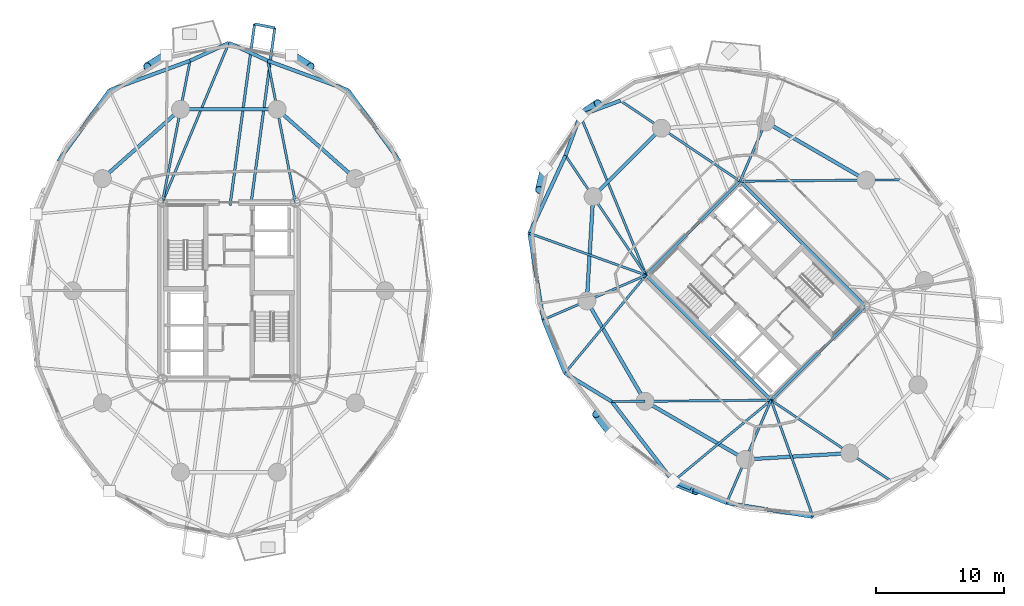
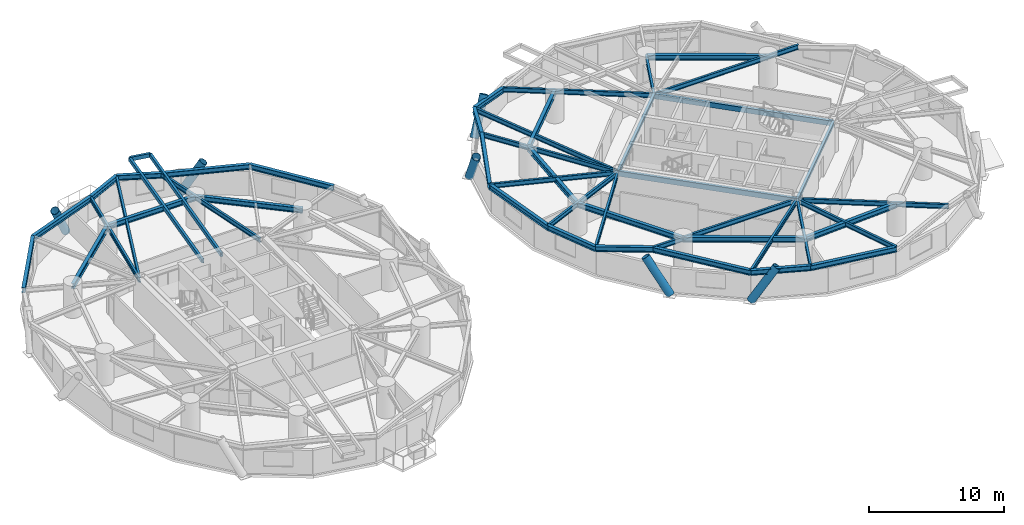
# One storey, part 5 of 18: 48 beams, 6 members.
"""IFC4 building model written with IfcOpenShell, lengths in metres."""

from ifc_helpers import new_model, si_unit, direction, frame, origin, origin_2d, place, context, subcontext, project, spatial, hollow_rectangle, hollow_circle, i_section, extrude, material, material_profile, profile_set, type_object, element, save


model = new_model("IFC4")

# Units and contexts
model_context = context("Model", 3, precision=1e-05, world=origin(), true_north=direction((0.0, 1.0)))
body_context = subcontext(model_context, "Body", "Model", "MODEL_VIEW")
ifc_project = project(units=[si_unit("LENGTHUNIT", "METRE"), si_unit("AREAUNIT", "SQUARE_METRE"), si_unit("VOLUMEUNIT", "CUBIC_METRE"), si_unit("PLANEANGLEUNIT", "RADIAN"), si_unit("MASSUNIT", "GRAM", prefix="KILO")], contexts=[model_context])

# Site, building, storey
site_placement = place(None, origin())
site = spatial("IfcSite", under=ifc_project, at=site_placement, CompositionType="ELEMENT")
building_placement = place(site_placement, origin())
building = spatial("IfcBuilding", under=site, at=building_placement, Name="Cununo Teusaquillo Station Towers", CompositionType="ELEMENT")
storey_placement = place(building_placement, frame((0.0, 0.0, 75.969970703125)))
storey = spatial("IfcBuildingStorey", under=building, at=storey_placement, Name="L23", CompositionType="ELEMENT", Elevation=75.969970703125)

# Beams
ifc_material_1 = material(Name="Steel EN 10025-2 S355J2", Category="steel")
ifc_material_profile_1 = material_profile(ifc_material_1, hollow_rectangle(XDim=0.199951171875, YDim=0.35009765625, WallThickness=0.013916015625, at=origin_2d()), Name="RHS 350x200x14")
ifc_profile_set_1 = profile_set([ifc_material_profile_1], Name="Steel EN 10025-2 S355J2")
beam_type_1 = type_object("IfcBeamType", Name="BM-BAL-CANT", PredefinedType="BEAM", material=ifc_profile_set_1)
beam_1_placement = place(storey_placement, frame((18.206298828125, 31.14990234375, 2.4951171875), z_axis=(0.133960678738, 0.990986648019, 0.0), x_axis=(-0.990986648019, 0.133960678738, 0.0)))
element("IfcBeam", 1, at=beam_1_placement, inside=storey, type_object=beam_type_1, Name="L23 Tower A Balcony Cantilever Bracket 1A", PredefinedType="BEAM", context=body_context, shape_type="SweptSolid", body=[
    extrude(hollow_rectangle(XDim=0.199951171875, YDim=0.35009765625, WallThickness=0.013916015625, at=origin_2d()), origin(), (0.0, 0.0, 1.0), 13.9345703125),
])
beam_2_placement = place(storey_placement, frame((16.59130859375, 31.14990234375, 2.4951171875), z_axis=(0.133936551357, 0.990989909237, 0.0), x_axis=(-0.990989909237, 0.133936551357, 0.0)))
element("IfcBeam", 2, at=beam_2_placement, inside=storey, type_object=beam_type_1, Name="L23 Tower A Balcony Cantilever Bracket 1B", PredefinedType="BEAM", context=body_context, shape_type="SweptSolid", body=[
    extrude(hollow_rectangle(XDim=0.199951171875, YDim=0.35009765625, WallThickness=0.013916015625, at=origin_2d()), origin(), (0.0, 0.0, 1.0), 14.24169921875),
])
ifc_material_2 = material(Name="Steel EN 10025-2 S355J2", Category="steel")
ifc_material_profile_2 = material_profile(ifc_material_2, hollow_rectangle(XDim=0.25, YDim=0.449951171875, WallThickness=0.01611328125, at=origin_2d()), Name="RHS 450x250x16")
ifc_profile_set_2 = profile_set([ifc_material_profile_2], Name="Steel EN 10025-2 S355J2")
beam_type_2 = type_object("IfcBeamType", Name="BM-COUP-1", PredefinedType="USERDEFINED", material=ifc_profile_set_2)
for number, where, z_axis, x_axis, name in (
    (3, (58.70556640625, 15.975830078125, 2.445068359375), (-0.707106781187, 0.707106781187, 0.0), (-0.707106781187, -0.707106781187, 0.0), "L23 Tower B Core Beam 1"),
    (4, (66.024169921875, 23.29443359375, 2.445068359375), (-0.707106781187, 0.707106781187, 0.0), (-0.707106781187, -0.707106781187, 0.0), "L23 Tower B Core Beam 2"),
):
    element("IfcBeam", number, at=place(storey_placement, frame(where, z_axis=z_axis, x_axis=x_axis)), inside=storey, type_object=beam_type_2, Name=name, ObjectType="COUPLING BEAM", PredefinedType="USERDEFINED", context=body_context, shape_type="SweptSolid", body=[
        extrude(hollow_rectangle(XDim=0.25, YDim=0.449951171875, WallThickness=0.01611328125, at=origin_2d()), origin(), (0.0, 0.0, 1.0), 13.760009765625),
    ])
ifc_material_3 = material(Name="Steel ASTM A572 Grade 50", Category="steel")
ifc_material_profile_3 = material_profile(ifc_material_3, i_section(OverallWidth=0.180908203125, OverallDepth=0.4169921875, WebThickness=0.010986328125, FlangeThickness=0.018310546875, FilletRadius=0.012939453125, at=origin_2d()), Name="W16X57")
ifc_profile_set_3 = profile_set([ifc_material_profile_3], Name="Steel ASTM A572 Grade 50")
beam_type_3 = type_object("IfcBeamType", Name="BM-JOIST-1", PredefinedType="JOIST", material=ifc_profile_set_3)
beam_3_placement = place(storey_placement, frame((11.324951171875, 31.3798828125, 2.46142578125), z_axis=(0.38487837995, 0.922967297713, 0.0), x_axis=(-0.922967297713, 0.38487837995, 0.0)))
element("IfcBeam", 5, at=beam_3_placement, inside=storey, type_object=beam_type_3, Name="L23 Tower A Radial Spandrel Joist V05", PredefinedType="JOIST", context=body_context, shape_type="SweptSolid", body=[
    extrude(i_section(OverallWidth=0.180908203125, OverallDepth=0.4169921875, WebThickness=0.010986328125, FlangeThickness=0.018310546875, FilletRadius=0.012939453125, at=origin_2d()), origin(), (0.0, 0.0, 1.0), 13.446044921875),
])
beam_4_placement = place(storey_placement, frame((48.975830078125, 25.70556640625, 2.46142578125), z_axis=(-0.380485864505, 0.924786735908, 0.0), x_axis=(-0.924786735908, -0.380485864505, 0.0)))
element("IfcBeam", 6, at=beam_4_placement, inside=storey, type_object=beam_type_3, Name="L23 Tower B Radial Spandrel Joist V05", PredefinedType="JOIST", context=body_context, shape_type="SweptSolid", body=[
    extrude(i_section(OverallWidth=0.180908203125, OverallDepth=0.4169921875, WebThickness=0.010986328125, FlangeThickness=0.018310546875, FilletRadius=0.012939453125, at=origin_2d()), origin(), (0.0, 0.0, 1.0), 13.44580078125),
])
beam_5_placement = place(storey_placement, frame((48.975830078125, 25.70556640625, 2.46142578125), z_axis=(-0.941082771055, 0.338176312038, 0.0), x_axis=(-0.338176312038, -0.941082771055, 0.0)))
element("IfcBeam", 7, at=beam_5_placement, inside=storey, type_object=beam_type_3, Name="L23 Tower B Radial Spandrel Joist V07", PredefinedType="JOIST", context=body_context, shape_type="SweptSolid", body=[
    extrude(i_section(OverallWidth=0.180908203125, OverallDepth=0.4169921875, WebThickness=0.010986328125, FlangeThickness=0.018310546875, FilletRadius=0.012939453125, at=origin_2d()), origin(), (0.0, 0.0, 1.0), 9.646484375),
])
for number, where, z_axis, x_axis, name in (
    (8, (48.975830078125, 25.70556640625, 2.46142578125), (-0.638372238196, -0.769727799615, 0.0), (0.769727799615, -0.638372238196, 0.0), "L23 Tower B Radial Spandrel Joist V09"),
    (9, (58.70556640625, 15.975830078125, 2.46142578125), (-0.769727799615, -0.638372238196, 0.0), (0.638372238196, -0.769727799615, 0.0), "L23 Tower B Radial Spandrel Joist V11"),
):
    element("IfcBeam", number, at=place(storey_placement, frame(where, z_axis=z_axis, x_axis=x_axis)), inside=storey, type_object=beam_type_3, Name=name, PredefinedType="JOIST", context=body_context, shape_type="SweptSolid", body=[
        extrude(i_section(OverallWidth=0.180908203125, OverallDepth=0.4169921875, WebThickness=0.010986328125, FlangeThickness=0.018310546875, FilletRadius=0.012939453125, at=origin_2d()), origin(), (0.0, 0.0, 1.0), 9.895263671875),
    ])
beam_6_placement = place(storey_placement, frame((58.70556640625, 15.975830078125, 2.46142578125), z_axis=(0.338176312038, -0.941082771055, 0.0), x_axis=(0.941082771055, 0.338176312038, 0.0)))
element("IfcBeam", 10, at=beam_6_placement, inside=storey, type_object=beam_type_3, Name="L23 Tower B Radial Spandrel Joist V13", PredefinedType="JOIST", context=body_context, shape_type="SweptSolid", body=[
    extrude(i_section(OverallWidth=0.180908203125, OverallDepth=0.4169921875, WebThickness=0.010986328125, FlangeThickness=0.018310546875, FilletRadius=0.012939453125, at=origin_2d()), origin(), (0.0, 0.0, 1.0), 9.646484375),
])
ifc_material_4 = material(Name="Steel ASTM A572 Grade 50", Category="steel")
ifc_material_profile_4 = material_profile(ifc_material_4, i_section(OverallWidth=0.2041015625, OverallDepth=0.35009765625, WebThickness=0.008544921875, FlangeThickness=0.01513671875, FilletRadius=0.011962890625, at=origin_2d()), Name="W14X48")
ifc_profile_set_4 = profile_set([ifc_material_profile_4], Name="Steel ASTM A572 Grade 50")
beam_type_4 = type_object("IfcBeamType", Name="BM-LINTEL-1", PredefinedType="LINTEL", material=ifc_profile_set_4)
for number, where, z_axis, x_axis, name in (
    (11, (58.70556640625, 15.975830078125, 2.4951171875), (0.707106781187, 0.707106781187, 0.0), (-0.707106781187, 0.707106781187, 0.0), "L23 Tower B Core Beam 3"),
    (12, (48.975830078125, 25.70556640625, 2.4951171875), (0.707106781187, 0.707106781187, 0.0), (-0.707106781187, 0.707106781187, 0.0), "L23 Tower B Core Beam 4"),
):
    element("IfcBeam", number, at=place(storey_placement, frame(where, z_axis=z_axis, x_axis=x_axis)), inside=storey, type_object=beam_type_4, Name=name, PredefinedType="LINTEL", context=body_context, shape_type="SweptSolid", body=[
        extrude(i_section(OverallWidth=0.2041015625, OverallDepth=0.35009765625, WebThickness=0.008544921875, FlangeThickness=0.01513671875, FilletRadius=0.011962890625, at=origin_2d()), origin(), (0.0, 0.0, 1.0), 10.35009765625),
    ])
ifc_material_5 = material(Name="Steel ASTM A572 Grade 50", Category="steel")
ifc_material_profile_5 = material_profile(ifc_material_5, i_section(OverallWidth=0.180908203125, OverallDepth=0.4169921875, WebThickness=0.010986328125, FlangeThickness=0.018310546875, FilletRadius=0.012939453125, at=origin_2d()), Name="W16X57")
ifc_profile_set_5 = profile_set([ifc_material_profile_5], Name="Steel ASTM A572 Grade 50")
beam_type_5 = type_object("IfcBeamType", Name="BM-RAD-G2", PredefinedType="BEAM", material=ifc_profile_set_5)
for number, where, z_axis, x_axis, name in (
    (13, (21.675048828125, 31.3798828125, 2.46142578125), (-0.191552755713, 0.981482318628, 0.0), (-0.981482318628, -0.191552755713, 0.0), "L23 Tower A Continuous Overhanging Radial Girder 03"),
    (14, (11.324951171875, 31.3798828125, 2.46142578125), (0.191552755713, 0.981482318628, 0.0), (-0.981482318628, 0.191552755713, 0.0), "L23 Tower A Continuous Overhanging Radial Girder 04"),
):
    element("IfcBeam", number, at=place(storey_placement, frame(where, z_axis=z_axis, x_axis=x_axis)), inside=storey, type_object=beam_type_5, Name=name, PredefinedType="BEAM", context=body_context, shape_type="SweptSolid", body=[
        extrude(i_section(OverallWidth=0.180908203125, OverallDepth=0.4169921875, WebThickness=0.010986328125, FlangeThickness=0.018310546875, FilletRadius=0.012939453125, at=origin_2d()), origin(), (0.0, 0.0, 1.0), 11.22998046875),
    ])
beam_7_placement = place(storey_placement, frame((56.29443359375, 33.024169921875, 2.46142578125), z_axis=(0.999964331255, 0.008446077024, 0.0), x_axis=(-0.008446077024, 0.999964331255, 0.0)))
element("IfcBeam", 15, at=beam_7_placement, inside=storey, type_object=beam_type_5, Name="L23 Tower B Continuous Overhanging Radial Girder 01", PredefinedType="BEAM", context=body_context, shape_type="SweptSolid", body=[
    extrude(i_section(OverallWidth=0.180908203125, OverallDepth=0.4169921875, WebThickness=0.010986328125, FlangeThickness=0.018310546875, FilletRadius=0.012939453125, at=origin_2d()), origin(), (0.0, 0.0, 1.0), 12.400634765625),
])
beam_8_placement = place(storey_placement, frame((56.29443359375, 33.024169921875, 2.46142578125), z_axis=(0.397346986387, 0.917668443616, 0.0), x_axis=(-0.917668443616, 0.397346986387, 0.0)))
element("IfcBeam", 16, at=beam_8_placement, inside=storey, type_object=beam_type_5, Name="L23 Tower B Radial Girder 02A", PredefinedType="BEAM", context=body_context, shape_type="SweptSolid", body=[
    extrude(i_section(OverallWidth=0.180908203125, OverallDepth=0.4169921875, WebThickness=0.010986328125, FlangeThickness=0.018310546875, FilletRadius=0.012939453125, at=origin_2d()), origin(), (0.0, 0.0, 1.0), 5.02490234375),
])
for number, where, z_axis, x_axis, name in (
    (17, (56.29443359375, 33.024169921875, 2.46142578125), (-0.82945583878, 0.558572297481, 0.0), (-0.558572297481, -0.82945583878, 0.0), "L23 Tower B Continuous Overhanging Radial Girder 03"),
    (18, (48.975830078125, 25.70556640625, 2.46142578125), (-0.558572297481, 0.82945583878, 0.0), (-0.82945583878, -0.558572297481, 0.0), "L23 Tower B Continuous Overhanging Radial Girder 04"),
):
    element("IfcBeam", number, at=place(storey_placement, frame(where, z_axis=z_axis, x_axis=x_axis)), inside=storey, type_object=beam_type_5, Name=name, PredefinedType="BEAM", context=body_context, shape_type="SweptSolid", body=[
        extrude(i_section(OverallWidth=0.180908203125, OverallDepth=0.4169921875, WebThickness=0.010986328125, FlangeThickness=0.018310546875, FilletRadius=0.012939453125, at=origin_2d()), origin(), (0.0, 0.0, 1.0), 11.22998046875),
    ])
beam_9_placement = place(storey_placement, frame((48.975830078125, 25.70556640625, 2.46142578125), z_axis=(-0.917654733344, -0.397378648609, 0.0), x_axis=(0.397378648609, -0.917654733344, 0.0)))
element("IfcBeam", 19, at=beam_9_placement, inside=storey, type_object=beam_type_5, Name="L23 Tower B Continuous Overhanging Radial Girder 05", PredefinedType="BEAM", context=body_context, shape_type="SweptSolid", body=[
    extrude(i_section(OverallWidth=0.180908203125, OverallDepth=0.4169921875, WebThickness=0.010986328125, FlangeThickness=0.018310546875, FilletRadius=0.012939453125, at=origin_2d()), origin(), (0.0, 0.0, 1.0), 8.71484375),
])
beam_10_placement = place(storey_placement, frame((58.70556640625, 15.975830078125, 2.46142578125), z_axis=(-0.999964431382, -0.008434214327, 0.0), x_axis=(0.008434214327, -0.999964431382, 0.0)))
element("IfcBeam", 20, at=beam_10_placement, inside=storey, type_object=beam_type_5, Name="L23 Tower B Radial Girder 06A", PredefinedType="BEAM", context=body_context, shape_type="SweptSolid", body=[
    extrude(i_section(OverallWidth=0.180908203125, OverallDepth=0.4169921875, WebThickness=0.010986328125, FlangeThickness=0.018310546875, FilletRadius=0.012939453125, at=origin_2d()), origin(), (0.0, 0.0, 1.0), 9.812744140625),
])
beam_11_placement = place(storey_placement, frame((48.89306640625, 15.89306640625, 2.46142578125), z_axis=(-0.999963950292, -0.008491060999, 0.0), x_axis=(0.008491060999, -0.999963950292, 0.0)))
element("IfcBeam", 21, at=beam_11_placement, inside=storey, type_object=beam_type_5, Name="L23 Tower B Perimeter Overhang Girder 06B", PredefinedType="BEAM", context=body_context, shape_type="SweptSolid", body=[
    extrude(i_section(OverallWidth=0.180908203125, OverallDepth=0.4169921875, WebThickness=0.010986328125, FlangeThickness=0.018310546875, FilletRadius=0.012939453125, at=origin_2d()), origin(), (0.0, 0.0, 1.0), 2.587646484375),
])
beam_12_placement = place(storey_placement, frame((58.70556640625, 15.975830078125, 2.46142578125), z_axis=(-0.397378648609, -0.917654733344, 0.0), x_axis=(0.917654733344, -0.397378648609, 0.0)))
element("IfcBeam", 22, at=beam_12_placement, inside=storey, type_object=beam_type_5, Name="L23 Tower B Continuous Overhanging Radial Girder 07", PredefinedType="BEAM", context=body_context, shape_type="SweptSolid", body=[
    extrude(i_section(OverallWidth=0.180908203125, OverallDepth=0.4169921875, WebThickness=0.010986328125, FlangeThickness=0.018310546875, FilletRadius=0.012939453125, at=origin_2d()), origin(), (0.0, 0.0, 1.0), 8.71484375),
])
beam_13_placement = place(storey_placement, frame((58.70556640625, 15.975830078125, 2.46142578125), z_axis=(0.82945583878, -0.558572297481, 0.0), x_axis=(0.558572297481, 0.82945583878, 0.0)))
element("IfcBeam", 23, at=beam_13_placement, inside=storey, type_object=beam_type_5, Name="L23 Tower B Continuous Overhanging Radial Girder 08", PredefinedType="BEAM", context=body_context, shape_type="SweptSolid", body=[
    extrude(i_section(OverallWidth=0.180908203125, OverallDepth=0.4169921875, WebThickness=0.010986328125, FlangeThickness=0.018310546875, FilletRadius=0.012939453125, at=origin_2d()), origin(), (0.0, 0.0, 1.0), 11.22998046875),
])
ifc_material_6 = material(Name="Steel ASTM A572 Grade 50", Category="steel")
ifc_material_profile_6 = material_profile(ifc_material_6, i_section(OverallWidth=0.280029296875, OverallDepth=0.462890625, WebThickness=0.0107421875, FlangeThickness=0.017333984375, FilletRadius=0.013916015625, at=origin_2d()), Name="W18X76")
ifc_profile_set_6 = profile_set([ifc_material_profile_6], Name="Steel ASTM A572 Grade 50")
beam_type_6 = type_object("IfcBeamType", Name="BM-RING-Z2", PredefinedType="SPANDREL", material=ifc_profile_set_6)
beam_14_placement = place(storey_placement, frame((26.347412109375, 33.228515625, 2.4384765625), z_axis=(-0.74832120039, 0.66333655187, 0.0), x_axis=(-0.66333655187, -0.74832120039, 0.0)))
element("IfcBeam", 24, at=beam_14_placement, inside=storey, type_object=beam_type_6, Name="L23 Tower A Structural Column Ring Girder 02", PredefinedType="SPANDREL", context=body_context, shape_type="SweptSolid", body=[
    extrude(i_section(OverallWidth=0.280029296875, OverallDepth=0.462890625, WebThickness=0.0107421875, FlangeThickness=0.017333984375, FilletRadius=0.013916015625, at=origin_2d()), origin(), (0.0, 0.0, 1.0), 8.1328125),
])
beam_15_placement = place(storey_placement, frame((20.261474609375, 38.623291015625, 2.4384765625), z_axis=(-1.0, 0.0, 0.0), x_axis=(0.0, -1.0, 0.0)))
element("IfcBeam", 25, at=beam_15_placement, inside=storey, type_object=beam_type_6, Name="L23 Tower A Structural Column Ring Girder 03", PredefinedType="SPANDREL", context=body_context, shape_type="SweptSolid", body=[
    extrude(i_section(OverallWidth=0.280029296875, OverallDepth=0.462890625, WebThickness=0.0107421875, FlangeThickness=0.017333984375, FilletRadius=0.013916015625, at=origin_2d()), origin(), (0.0, 0.0, 1.0), 7.52294921875),
])
beam_16_placement = place(storey_placement, frame((12.738525390625, 38.623291015625, 2.4384765625), z_axis=(-0.74832120039, -0.66333655187, 0.0), x_axis=(0.66333655187, -0.74832120039, 0.0)))
element("IfcBeam", 26, at=beam_16_placement, inside=storey, type_object=beam_type_6, Name="L23 Tower A Structural Column Ring Girder 04", PredefinedType="SPANDREL", context=body_context, shape_type="SweptSolid", body=[
    extrude(i_section(OverallWidth=0.280029296875, OverallDepth=0.462890625, WebThickness=0.0107421875, FlangeThickness=0.017333984375, FilletRadius=0.013916015625, at=origin_2d()), origin(), (0.0, 0.0, 1.0), 8.1328125),
])
beam_17_placement = place(storey_placement, frame((29.77880859375, 34.586181640625, 2.4384765625), z_axis=(-0.58594455724, 0.810351143543, 0.0), x_axis=(-0.810351143543, -0.58594455724, 0.0)))
element("IfcBeam", 27, at=beam_17_placement, inside=storey, type_object=beam_type_6, Name="L23 Tower A Spandrel Ring Beam 03", PredefinedType="SPANDREL", context=body_context, shape_type="SweptSolid", body=[
    extrude(i_section(OverallWidth=0.280029296875, OverallDepth=0.462890625, WebThickness=0.0107421875, FlangeThickness=0.017333984375, FilletRadius=0.013916015625, at=origin_2d()), origin(), (0.0, 0.0, 1.0), 6.8115234375),
])
beam_18_placement = place(storey_placement, frame((25.78759765625, 40.10595703125, 2.4384765625), z_axis=(-0.938914161016, 0.34415141761, 0.0), x_axis=(-0.34415141761, -0.938914161016, 0.0)))
element("IfcBeam", 28, at=beam_18_placement, inside=storey, type_object=beam_type_6, Name="L23 Tower A Spandrel Ring Beam 04", PredefinedType="SPANDREL", context=body_context, shape_type="SweptSolid", body=[
    extrude(i_section(OverallWidth=0.280029296875, OverallDepth=0.462890625, WebThickness=0.0107421875, FlangeThickness=0.017333984375, FilletRadius=0.013916015625, at=origin_2d()), origin(), (0.0, 0.0, 1.0), 6.671142578125),
])
for number, where, z_axis, x_axis, name in (
    (29, (19.52392578125, 42.40185546875, 2.4384765625), (-0.908812215281, 0.417205413862, 0.0), (-0.417205413862, -0.908812215281, 0.0), "L23 Tower A Spandrel Ring Beam 05"),
    (30, (16.5, 43.7900390625, 2.4384765625), (-0.908812215281, -0.417205413862, 0.0), (0.417205413862, -0.908812215281, 0.0), "L23 Tower A Spandrel Ring Beam 06"),
):
    element("IfcBeam", number, at=place(storey_placement, frame(where, z_axis=z_axis, x_axis=x_axis)), inside=storey, type_object=beam_type_6, Name=name, PredefinedType="SPANDREL", context=body_context, shape_type="SweptSolid", body=[
        extrude(i_section(OverallWidth=0.280029296875, OverallDepth=0.462890625, WebThickness=0.0107421875, FlangeThickness=0.017333984375, FilletRadius=0.013916015625, at=origin_2d()), origin(), (0.0, 0.0, 1.0), 3.327392578125),
    ])
beam_19_placement = place(storey_placement, frame((13.47607421875, 42.40185546875, 2.4384765625), z_axis=(-0.938914161016, -0.34415141761, 0.0), x_axis=(0.34415141761, -0.938914161016, 0.0)))
element("IfcBeam", 31, at=beam_19_placement, inside=storey, type_object=beam_type_6, Name="L23 Tower A Spandrel Ring Beam 07", PredefinedType="SPANDREL", context=body_context, shape_type="SweptSolid", body=[
    extrude(i_section(OverallWidth=0.280029296875, OverallDepth=0.462890625, WebThickness=0.0107421875, FlangeThickness=0.017333984375, FilletRadius=0.013916015625, at=origin_2d()), origin(), (0.0, 0.0, 1.0), 6.671142578125),
])
beam_20_placement = place(storey_placement, frame((7.21240234375, 40.10595703125, 2.4384765625), z_axis=(-0.58594455724, -0.810351143543, 0.0), x_axis=(0.810351143543, -0.58594455724, 0.0)))
element("IfcBeam", 32, at=beam_20_placement, inside=storey, type_object=beam_type_6, Name="L23 Tower A Spandrel Ring Beam 08", PredefinedType="SPANDREL", context=body_context, shape_type="SweptSolid", body=[
    extrude(i_section(OverallWidth=0.280029296875, OverallDepth=0.462890625, WebThickness=0.0107421875, FlangeThickness=0.017333984375, FilletRadius=0.013916015625, at=origin_2d()), origin(), (0.0, 0.0, 1.0), 6.8115234375),
])
beam_21_placement = place(storey_placement, frame((66.10693359375, 33.10693359375, 2.4384765625), z_axis=(-0.865267103202, 0.501311121078, 0.0), x_axis=(-0.501311121078, -0.865267103202, 0.0)))
element("IfcBeam", 33, at=beam_21_placement, inside=storey, type_object=beam_type_6, Name="L23 Tower B Structural Column Ring Girder 01", PredefinedType="SPANDREL", context=body_context, shape_type="SweptSolid", body=[
    extrude(i_section(OverallWidth=0.280029296875, OverallDepth=0.462890625, WebThickness=0.0107421875, FlangeThickness=0.017333984375, FilletRadius=0.013916015625, at=origin_2d()), origin(), (0.0, 0.0, 1.0), 9.032958984375),
])
beam_22_placement = place(storey_placement, frame((50.173095703125, 37.146240234375, 2.4384765625), z_axis=(-0.707106781187, -0.707106781187, 0.0), x_axis=(0.707106781187, -0.707106781187, 0.0)))
element("IfcBeam", 34, at=beam_22_placement, inside=storey, type_object=beam_type_6, Name="L23 Tower B Structural Column Ring Girder 03", PredefinedType="SPANDREL", context=body_context, shape_type="SweptSolid", body=[
    extrude(i_section(OverallWidth=0.280029296875, OverallDepth=0.462890625, WebThickness=0.0107421875, FlangeThickness=0.017333984375, FilletRadius=0.013916015625, at=origin_2d()), origin(), (0.0, 0.0, 1.0), 7.522705078125),
])
beam_23_placement = place(storey_placement, frame((44.853759765625, 31.826904296875, 2.4384765625), z_axis=(-0.06012979176, -0.998190567048, 0.0), x_axis=(0.998190567048, -0.06012979176, 0.0)))
element("IfcBeam", 35, at=beam_23_placement, inside=storey, type_object=beam_type_6, Name="L23 Tower B Structural Column Ring Girder 04", PredefinedType="SPANDREL", context=body_context, shape_type="SweptSolid", body=[
    extrude(i_section(OverallWidth=0.280029296875, OverallDepth=0.462890625, WebThickness=0.0107421875, FlangeThickness=0.017333984375, FilletRadius=0.013916015625, at=origin_2d()), origin(), (0.0, 0.0, 1.0), 8.132568359375),
])
for number, where, z_axis, x_axis, name in (
    (36, (44.36474609375, 23.708984375, 2.4384765625), (0.501311121078, -0.865267103202, 0.0), (0.865267103202, 0.501311121078, 0.0), "L23 Tower B Structural Column Ring Girder 05"),
    (37, (48.89306640625, 15.89306640625, 2.4384765625), (0.865267103202, -0.501311121078, 0.0), (0.501311121078, 0.865267103202, 0.0), "L23 Tower B Structural Column Ring Girder 06"),
):
    element("IfcBeam", number, at=place(storey_placement, frame(where, z_axis=z_axis, x_axis=x_axis)), inside=storey, type_object=beam_type_6, Name=name, PredefinedType="SPANDREL", context=body_context, shape_type="SweptSolid", body=[
        extrude(i_section(OverallWidth=0.280029296875, OverallDepth=0.462890625, WebThickness=0.0107421875, FlangeThickness=0.017333984375, FilletRadius=0.013916015625, at=origin_2d()), origin(), (0.0, 0.0, 1.0), 9.032958984375),
    ])
beam_24_placement = place(storey_placement, frame((56.708984375, 11.36474609375, 2.4384765625), z_axis=(0.998190567048, 0.06012979176, 0.0), x_axis=(-0.06012979176, 0.998190567048, 0.0)))
element("IfcBeam", 38, at=beam_24_placement, inside=storey, type_object=beam_type_6, Name="L23 Tower B Structural Column Ring Girder 07", PredefinedType="SPANDREL", context=body_context, shape_type="SweptSolid", body=[
    extrude(i_section(OverallWidth=0.280029296875, OverallDepth=0.462890625, WebThickness=0.0107421875, FlangeThickness=0.017333984375, FilletRadius=0.013916015625, at=origin_2d()), origin(), (0.0, 0.0, 1.0), 8.132568359375),
])
for number, where, z_axis, x_axis, name in (
    (39, (46.979736328125, 39.296875, 2.4384765625), (-0.937628334414, -0.347639333943, 0.0), (0.347639333943, -0.937628334414, 0.0), "L23 Tower B Spandrel Ring Beam 05"),
    (40, (43.85986328125, 38.14013671875, 2.4384765625), (-0.347639333943, -0.937628334414, 0.0), (0.937628334414, -0.347639333943, 0.0), "L23 Tower B Spandrel Ring Beam 06"),
):
    element("IfcBeam", number, at=place(storey_placement, frame(where, z_axis=z_axis, x_axis=x_axis)), inside=storey, type_object=beam_type_6, Name=name, PredefinedType="SPANDREL", context=body_context, shape_type="SweptSolid", body=[
        extrude(i_section(OverallWidth=0.280029296875, OverallDepth=0.462890625, WebThickness=0.0107421875, FlangeThickness=0.017333984375, FilletRadius=0.013916015625, at=origin_2d()), origin(), (0.0, 0.0, 1.0), 3.327392578125),
    ])
beam_25_placement = place(storey_placement, frame((42.703125, 35.020263671875, 2.4384765625), z_axis=(-0.420535961689, -0.907275870354, 0.0), x_axis=(0.907275870354, -0.420535961689, 0.0)))
element("IfcBeam", 41, at=beam_25_placement, inside=storey, type_object=beam_type_6, Name="L23 Tower B Spandrel Ring Beam 07", PredefinedType="SPANDREL", context=body_context, shape_type="SweptSolid", body=[
    extrude(i_section(OverallWidth=0.280029296875, OverallDepth=0.462890625, WebThickness=0.0107421875, FlangeThickness=0.017333984375, FilletRadius=0.013916015625, at=origin_2d()), origin(), (0.0, 0.0, 1.0), 6.671142578125),
])
beam_26_placement = place(storey_placement, frame((39.897705078125, 28.9677734375, 2.4384765625), z_axis=(0.158671232312, -0.987331474246, 0.0), x_axis=(0.987331474246, 0.158671232312, 0.0)))
element("IfcBeam", 42, at=beam_26_placement, inside=storey, type_object=beam_type_6, Name="L23 Tower B Spandrel Ring Beam 08", PredefinedType="SPANDREL", context=body_context, shape_type="SweptSolid", body=[
    extrude(i_section(OverallWidth=0.280029296875, OverallDepth=0.462890625, WebThickness=0.0107421875, FlangeThickness=0.017333984375, FilletRadius=0.013916015625, at=origin_2d()), origin(), (0.0, 0.0, 1.0), 6.8115234375),
])
beam_27_placement = place(storey_placement, frame((40.978515625, 22.242431640625, 2.4384765625), z_axis=(0.375042266631, -0.927007712072, 0.0), x_axis=(0.927007712072, 0.375042266631, 0.0)))
element("IfcBeam", 43, at=beam_27_placement, inside=storey, type_object=beam_type_6, Name="L23 Tower B Spandrel Ring Beam 09", PredefinedType="SPANDREL", context=body_context, shape_type="SweptSolid", body=[
    extrude(i_section(OverallWidth=0.280029296875, OverallDepth=0.462890625, WebThickness=0.0107421875, FlangeThickness=0.017333984375, FilletRadius=0.013916015625, at=origin_2d()), origin(), (0.0, 0.0, 1.0), 4.480712890625),
])
beam_28_placement = place(storey_placement, frame((42.658935546875, 18.0888671875, 2.4384765625), z_axis=(0.854388492444, -0.519634779416, 0.0), x_axis=(0.519634779416, 0.854388492444, 0.0)))
element("IfcBeam", 44, at=beam_28_placement, inside=storey, type_object=beam_type_6, Name="L23 Tower B Spandrel Ring Beam 10", PredefinedType="SPANDREL", context=body_context, shape_type="SweptSolid", body=[
    extrude(i_section(OverallWidth=0.280029296875, OverallDepth=0.462890625, WebThickness=0.0107421875, FlangeThickness=0.017333984375, FilletRadius=0.013916015625, at=origin_2d()), origin(), (0.0, 0.0, 1.0), 4.26806640625),
])
beam_29_placement = place(storey_placement, frame((46.305419921875, 15.87109375, 2.4384765625), z_axis=(0.610100441726, -0.792324082056, 0.0), x_axis=(0.792324082056, 0.610100441726, 0.0)))
element("IfcBeam", 45, at=beam_29_placement, inside=storey, type_object=beam_type_6, Name="L23 Tower B Spandrel Ring Beam 11", PredefinedType="SPANDREL", context=body_context, shape_type="SweptSolid", body=[
    extrude(i_section(OverallWidth=0.280029296875, OverallDepth=0.462890625, WebThickness=0.0107421875, FlangeThickness=0.017333984375, FilletRadius=0.013916015625, at=origin_2d()), origin(), (0.0, 0.0, 1.0), 7.84033203125),
])
beam_30_placement = place(storey_placement, frame((51.0888671875, 9.658935546875, 2.4384765625), z_axis=(0.927007712072, -0.375042266631, 0.0), x_axis=(0.375042266631, 0.927007712072, 0.0)))
element("IfcBeam", 46, at=beam_30_placement, inside=storey, type_object=beam_type_6, Name="L23 Tower B Spandrel Ring Beam 12", PredefinedType="SPANDREL", context=body_context, shape_type="SweptSolid", body=[
    extrude(i_section(OverallWidth=0.280029296875, OverallDepth=0.462890625, WebThickness=0.0107421875, FlangeThickness=0.017333984375, FilletRadius=0.013916015625, at=origin_2d()), origin(), (0.0, 0.0, 1.0), 4.480712890625),
])
beam_31_placement = place(storey_placement, frame((55.242431640625, 7.978515625, 2.4384765625), z_axis=(0.987331474246, -0.158671232312, 0.0), x_axis=(0.158671232312, 0.987331474246, 0.0)))
element("IfcBeam", 47, at=beam_31_placement, inside=storey, type_object=beam_type_6, Name="L23 Tower B Spandrel Ring Beam 13", PredefinedType="SPANDREL", context=body_context, shape_type="SweptSolid", body=[
    extrude(i_section(OverallWidth=0.280029296875, OverallDepth=0.462890625, WebThickness=0.0107421875, FlangeThickness=0.017333984375, FilletRadius=0.013916015625, at=origin_2d()), origin(), (0.0, 0.0, 1.0), 6.8115234375),
])
ifc_material_7 = material(Name="Steel EN 10025-2 S355J2", Category="steel")
ifc_material_profile_7 = material_profile(ifc_material_7, hollow_rectangle(XDim=0.199951171875, YDim=0.35009765625, WallThickness=0.013916015625, at=origin_2d()), Name="RHS 350x200x14")
ifc_profile_set_7 = profile_set([ifc_material_profile_7], Name="Steel EN 10025-2 S355J2")
beam_type_7 = type_object("IfcBeamType", Name="BM-STAIR-TRIM", PredefinedType="BEAM", material=ifc_profile_set_7)
beam_32_placement = place(storey_placement, frame((20.072998046875, 44.958984375, 2.525146484375), z_axis=(-0.981836621572, 0.189728354603, 0.0), x_axis=(-0.189728354603, -0.981836621572, 0.0)))
element("IfcBeam", 48, at=beam_32_placement, inside=storey, type_object=beam_type_7, Name="L23 Tower A Balcony Edge Trimmer Beam 1", PredefinedType="BEAM", context=body_context, shape_type="SweptSolid", body=[
    extrude(hollow_rectangle(XDim=0.199951171875, YDim=0.35009765625, WallThickness=0.013916015625, at=origin_2d()), origin(), (0.0, 0.0, 1.0), 1.603271484375),
])

# Members
ifc_material_8 = material(Name="Steel EN 10025-2 S355J2", Category="steel")
ifc_material_profile_8 = material_profile(ifc_material_8, hollow_circle(Radius=0.330078125, WallThickness=0.02490234375, at=origin_2d()), Name="CHS 660x25")
ifc_profile_set_8 = profile_set([ifc_material_profile_8], Name="Steel EN 10025-2 S355J2")
member_type = type_object("IfcMemberType", Name="MBR-DIAG-Z2", PredefinedType="BRACE", material=ifc_profile_set_8)
for number, where, z_axis, x_axis, name in (
    (49, (21.3828125, 42.845947265625, -0.139892578125), (0.433768032271, -0.269824776975, 0.859674289432), (0.528195574716, 0.849122744278, 0.0), "L23 Tower A Folded-Zigzag Diagrid Tube C03"),
    (50, (11.6171875, 42.845947265625, -0.139892578125), (-0.433768032271, -0.269824776975, 0.859674289432), (0.528195574716, -0.849122744278, 0.0), "L23 Tower A Folded-Zigzag Diagrid Tube C06"),
):
    element("IfcMember", number, at=place(storey_placement, frame(where, z_axis=z_axis, x_axis=x_axis)), inside=storey, type_object=member_type, Name=name, PredefinedType="BRACE", context=body_context, shape_type="SweptSolid", body=[
        extrude(hollow_circle(Radius=0.330078125, WallThickness=0.02490234375, at=origin_2d()), origin(), (0.0, 0.0, 1.0), 3.385009765625),
    ])
member_1_placement = place(storey_placement, frame((43.85986328125, 38.14013671875, -0.139892578125), z_axis=(0.410124934173, 0.277231625428, 0.868872927552), x_axis=(-0.560024081213, 0.828476329452, 0.0)))
element("IfcMember", 51, at=member_1_placement, inside=storey, type_object=member_type, Name="L23 Tower B Folded-Zigzag Diagrid Tube C04", PredefinedType="BRACE", context=body_context, shape_type="SweptSolid", body=[
    extrude(hollow_circle(Radius=0.330078125, WallThickness=0.02490234375, at=origin_2d()), origin(), (0.0, 0.0, 1.0), 3.34912109375),
])
member_2_placement = place(storey_placement, frame((41.07470703125, 34.019775390625, -0.139892578125), z_axis=(-0.115906612964, -0.49752571016, 0.859670765352), x_axis=(0.973920299704, -0.226890391653, 0.0)))
element("IfcMember", 52, at=member_2_placement, inside=storey, type_object=member_type, Name="L23 Tower B Folded-Zigzag Diagrid Tube C06", PredefinedType="BRACE", context=body_context, shape_type="SweptSolid", body=[
    extrude(hollow_circle(Radius=0.330078125, WallThickness=0.02490234375, at=origin_2d()), origin(), (0.0, 0.0, 1.0), 3.385009765625),
])
member_3_placement = place(storey_placement, frame((46.326904296875, 13.326904296875, -0.139892578125), z_axis=(-0.34606419194, 0.449302990414, 0.823630012726), x_axis=(-0.792243348803, -0.610205273886, 0.0)))
element("IfcMember", 53, at=member_3_placement, inside=storey, type_object=member_type, Name="L23 Tower B Folded-Zigzag Diagrid Tube C09", PredefinedType="BRACE", context=body_context, shape_type="SweptSolid", body=[
    extrude(hollow_circle(Radius=0.330078125, WallThickness=0.02490234375, at=origin_2d()), origin(), (0.0, 0.0, 1.0), 3.532958984375),
])
member_4_placement = place(storey_placement, frame((51.0888671875, 9.658935546875, -0.139892578125), z_axis=(0.513514067291, -0.211085752623, 0.831712755543), x_axis=(0.380193455452, 0.924906987989, 0.0)))
element("IfcMember", 54, at=member_4_placement, inside=storey, type_object=member_type, Name="L23 Tower B Folded-Zigzag Diagrid Tube C11", PredefinedType="BRACE", context=body_context, shape_type="SweptSolid", body=[
    extrude(hollow_circle(Radius=0.330078125, WallThickness=0.02490234375, at=origin_2d()), origin(), (0.0, 0.0, 1.0), 3.498779296875),
])

save(model, "model.ifc")
